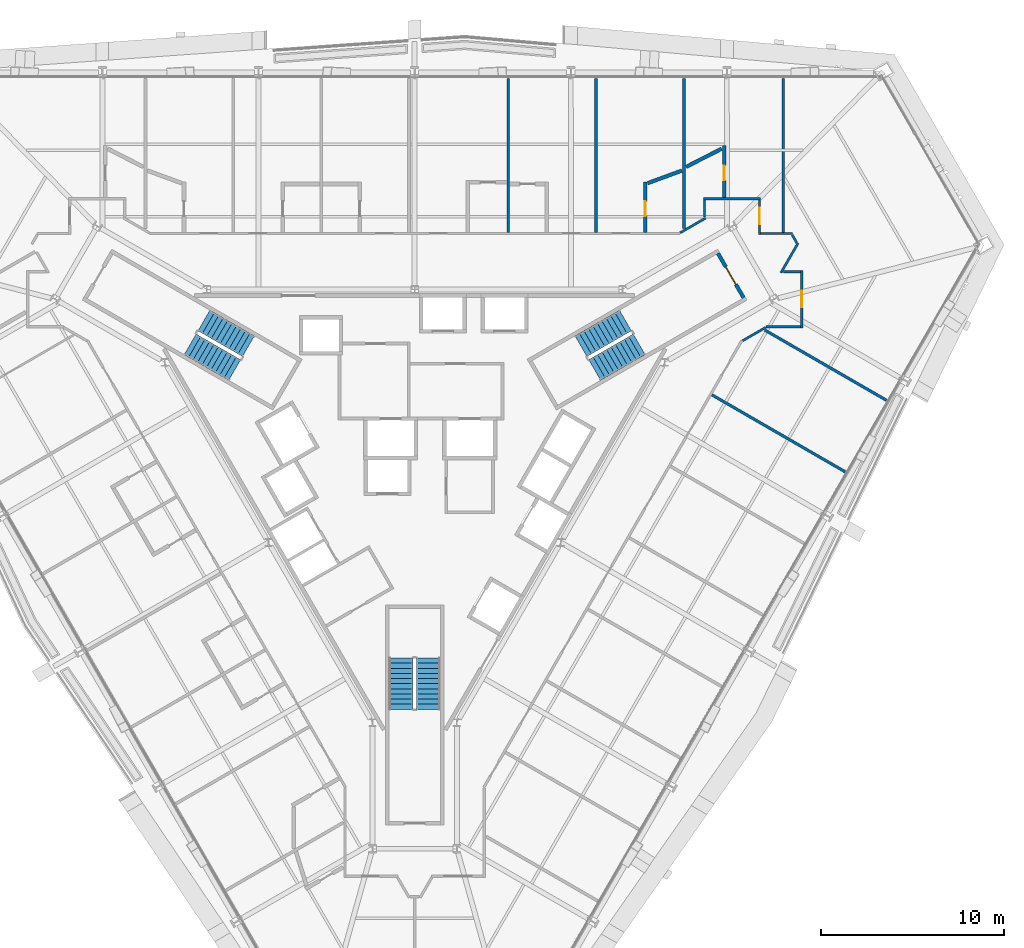
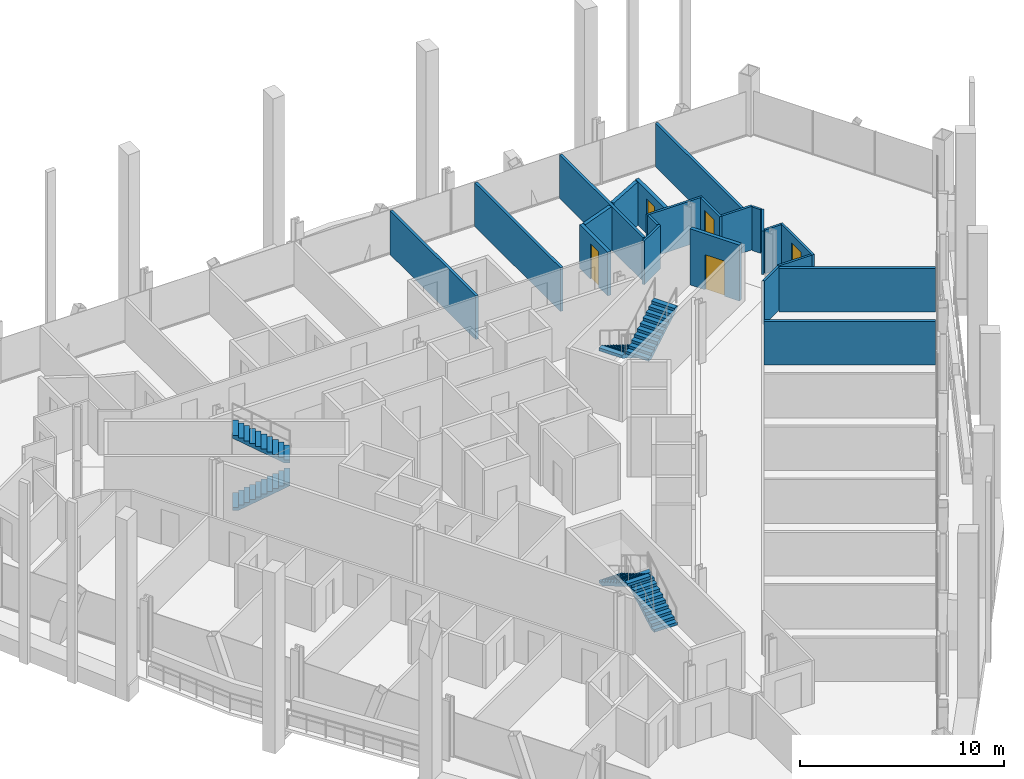
# One storey, part 15 of 18: 22 walls, 6 stair flights, 5 doors, 5 openings, 3 elements without a shape of their own.
"""IFC4 building model written with IfcOpenShell, lengths in metres."""

from ifc_helpers import new_model, si_unit, direction, frame, frame_2d, origin, place, context, subcontext, project, spatial, polyline, rectangle, outline, extrude, material, layer, layer_set, type_object, element, fill, aggregate, save


model = new_model("IFC4")

# Units and contexts
model_context = context("Model", 3, precision=1e-05, world=origin(), true_north=direction((0.0, 1.0)))
body_context = subcontext(model_context, "Body", "Model", "MODEL_VIEW")
ifc_project = project(units=[si_unit("LENGTHUNIT", "METRE"), si_unit("AREAUNIT", "SQUARE_METRE"), si_unit("VOLUMEUNIT", "CUBIC_METRE"), si_unit("PLANEANGLEUNIT", "RADIAN"), si_unit("MASSUNIT", "GRAM", prefix="KILO")], contexts=[model_context])

# Site, building, storey
site_placement = place(None, origin())
site = spatial("IfcSite", under=ifc_project, at=site_placement, CompositionType="ELEMENT")
building_placement = place(site_placement, origin())
building = spatial("IfcBuilding", under=site, at=building_placement, Name="Verrane Prism Tower", CompositionType="ELEMENT")
storey_placement = place(building_placement, frame((0.0, 0.0, 47.60009765625)))
storey = spatial("IfcBuildingStorey", under=building, at=storey_placement, Name="L09", CompositionType="ELEMENT", Elevation=47.60009765625)

# Wall, opening, door
ifc_material_1 = material(Name="Concrete C40/50", Category="concrete")
ifc_layer_1 = layer(ifc_material_1, 0.199951171875)
ifc_layer_set_1 = layer_set([ifc_layer_1], Name="CW-200 stair core wall concrete C40/50 3 h")
wall_type_1 = type_object("IfcWallType", Name="CW-200 stair core wall concrete C40/50 3 h", PredefinedType="PARTITIONING", material=ifc_layer_set_1)
wall_1_placement = place(storey_placement, frame((17.933837890625, 8.737548828125, 0.0), z_axis=(0.0, 0.0, 1.0), x_axis=(-0.49998411664, 0.866034573852, 0.0)))
wall_1 = element("IfcWall", 1, at=wall_1_placement, inside=storey, type_object=wall_type_1, Name="Stair 1 enclosure wall", PredefinedType="PARTITIONING", context=body_context, shape_type="SweptSolid", body=[
    extrude(rectangle(XDim=2.7998046875, YDim=0.199951171875, at=frame_2d((1.39990234375, 0.0))), origin(), (0.0, 0.0, 1.0), 3.349853515625),
])
opening_1_placement = place(wall_1_placement, frame((0.849853515625, 0.0, 0.0)))
opening_1 = element("IfcOpeningElement", 2, at=opening_1_placement, cuts=wall_1, Name="Opening D09500", PredefinedType="OPENING", context=body_context, shape_type="SweptSolid", body=[
    extrude(rectangle(XDim=1.10009765625, YDim=2.10009765625, at=frame_2d((0.550048828125, 1.050048828125))), frame((0.0, 0.10986328125, 0.0), z_axis=(0.0, -1.0, 0.0), x_axis=(1.0, 0.0, 0.0)), (0.0, 0.0, 1.0), 0.219970703125),
])
ifc_material_2 = material(Name="Timber veneered door leaf", Category="wood")
door_type_1 = type_object("IfcDoorType", Name="DR-1100x2100 FD90 single leaf stair", OperationType="NOTDEFINED", PredefinedType="DOOR", material=ifc_material_2)
door_1_placement = place(opening_1_placement, origin())
door_1 = element("IfcDoor", 3, at=door_1_placement, inside=storey, type_object=door_type_1, Name="Stair 1 door", OperationType="SINGLE_SWING_LEFT", OverallHeight=2.10009765625, OverallWidth=1.10009765625, PredefinedType="DOOR", context=body_context, shape_type="SweptSolid", body=[
    extrude(rectangle(XDim=1.10009765625, YDim=2.10009765625, at=frame_2d((0.550048828125, 1.050048828125))), frame((0.0, 0.02490234375, 0.0), z_axis=(0.0, -1.0, 0.0), x_axis=(1.0, 0.0, 0.0)), (0.0, 0.0, 1.0), 0.050048828125),
])
fill(opening_1, door_1)

# Walls
ifc_material_3 = material(Name="Gypsum board partition", Category="other")
ifc_layer_2 = layer(ifc_material_3, 0.125)
ifc_layer_set_2 = layer_set([ifc_layer_2], Name="PW-125 corridor wall 1 h")
wall_type_2 = type_object("IfcWallType", Name="PW-125 corridor wall 1 h", PredefinedType="PARTITIONING", material=ifc_layer_set_2)
wall_2_placement = place(storey_placement, frame((14.4755859375, 12.283447265625, 0.0), z_axis=(0.0, 0.0, 1.0), x_axis=(0.865974057503, 0.500088923824, 0.0)))
element("IfcWall", 4, at=wall_2_placement, inside=storey, type_object=wall_type_2, Name="Corridor wall 071", PredefinedType="PARTITIONING", context=body_context, shape_type="SweptSolid", body=[
    extrude(rectangle(XDim=1.595458984375, YDim=0.125, at=frame_2d((0.7978515625, 0.0))), origin(), (0.0, 0.0, 1.0), 2.61279296875),
])
wall_3_placement = place(storey_placement, frame((15.802978515625, 13.135009765625, 0.0), z_axis=(0.0, 0.0, 1.0), x_axis=(0.0, 1.0, 0.0)))
element("IfcWall", 5, at=wall_3_placement, inside=storey, type_object=wall_type_2, Name="Corridor wall 074", PredefinedType="PARTITIONING", context=body_context, shape_type="SweptSolid", body=[
    extrude(rectangle(XDim=0.93701171875, YDim=0.125, at=frame_2d((0.468505859375, 0.0))), origin(), (0.0, 0.0, 1.0), 2.61279296875),
])
wall_4_placement = place(storey_placement, frame((15.740478515625, 14.136962890625, 0.0), z_axis=(0.0, 0.0, 1.0), x_axis=(1.0, 0.0, 0.0)))
element("IfcWall", 6, at=wall_4_placement, inside=storey, type_object=wall_type_2, Name="Corridor wall 075", PredefinedType="PARTITIONING", context=body_context, shape_type="SweptSolid", body=[
    extrude(rectangle(XDim=3.119140625, YDim=0.125, at=frame_2d((1.5595703125, 0.0))), origin(), (0.0, 0.0, 1.0), 2.61279296875),
])
wall_5_placement = place(storey_placement, frame((17.87548828125, 6.39453125, 0.0), z_axis=(0.0, 0.0, 1.0), x_axis=(0.865894215669, 0.500227155672, 0.0)))
element("IfcWall", 7, at=wall_5_placement, inside=storey, type_object=wall_type_2, Name="Corridor wall 078", PredefinedType="PARTITIONING", context=body_context, shape_type="SweptSolid", body=[
    extrude(rectangle(XDim=1.451416015625, YDim=0.125, at=frame_2d((0.7255859375, 0.0))), origin(), (0.0, 0.0, 1.0), 2.61279296875),
])

# Wall, opening, door
wall_6_placement = place(storey_placement, frame((18.797119140625, 14.072021484375, 0.0), z_axis=(0.0, 0.0, 1.0), x_axis=(0.0, -1.0, 0.0)))
wall_6 = element("IfcWall", 8, at=wall_6_placement, inside=storey, type_object=wall_type_2, Name="Corridor wall 079", PredefinedType="PARTITIONING", context=body_context, shape_type="SweptSolid", body=[
    extrude(rectangle(XDim=1.8935546875, YDim=0.125, at=frame_2d((0.94677734375, 0.0))), origin(), (0.0, 0.0, 1.0), 2.61279296875),
])
opening_2_placement = place(wall_6_placement, frame((0.430908203125, 0.0, 0.0)))
opening_2 = element("IfcOpeningElement", 9, at=opening_2_placement, cuts=wall_6, Name="Opening D09010", PredefinedType="OPENING", context=body_context, shape_type="SweptSolid", body=[
    extrude(rectangle(XDim=0.89990234375, YDim=2.10009765625, at=frame_2d((0.449951171875, 1.050048828125))), frame((0.0, 0.072509765625, 0.0), z_axis=(0.0, -1.0, 0.0), x_axis=(1.0, 0.0, 0.0)), (0.0, 0.0, 1.0), 0.14501953125),
])
ifc_material_4 = material(Name="Timber veneered door leaf", Category="wood")
door_type_2 = type_object("IfcDoorType", Name="DR-900x2100 FD20 single leaf unit", OperationType="NOTDEFINED", PredefinedType="DOOR", material=ifc_material_4)
door_2_placement = place(opening_2_placement, origin())
door_2 = element("IfcDoor", 10, at=door_2_placement, inside=storey, type_object=door_type_2, Name="Guest Room door", OperationType="SINGLE_SWING_LEFT", OverallHeight=2.10009765625, OverallWidth=0.89990234375, PredefinedType="DOOR", context=body_context, shape_type="SweptSolid", body=[
    extrude(rectangle(XDim=0.89990234375, YDim=2.10009765625, at=frame_2d((0.449951171875, 1.050048828125))), frame((0.0, 0.02490234375, 0.0), z_axis=(0.0, -1.0, 0.0), x_axis=(1.0, 0.0, 0.0)), (0.0, 0.0, 1.0), 0.050048828125),
])
fill(opening_2, door_2)

# Walls
wall_7_placement = place(storey_placement, frame((18.862060546875, 12.240966796875, 0.0), z_axis=(0.0, 0.0, 1.0), x_axis=(1.0, 0.0, 0.0)))
element("IfcWall", 11, at=wall_7_placement, inside=storey, type_object=wall_type_2, Name="Corridor wall 080", PredefinedType="PARTITIONING", context=body_context, shape_type="SweptSolid", body=[
    extrude(rectangle(XDim=1.739501953125, YDim=0.125, at=frame_2d((0.86962890625, 0.0))), origin(), (0.0, 0.0, 1.0), 2.61279296875),
])
wall_8_placement = place(storey_placement, frame((19.1435546875, 7.1630859375, 0.0), z_axis=(0.0, 0.0, 1.0), x_axis=(1.0, 0.0, 0.0)))
element("IfcWall", 12, at=wall_8_placement, inside=storey, type_object=wall_type_2, Name="Corridor wall 082", PredefinedType="PARTITIONING", context=body_context, shape_type="SweptSolid", body=[
    extrude(rectangle(XDim=1.888427734375, YDim=0.125, at=frame_2d((0.9443359375, 0.0))), origin(), (0.0, 0.0, 1.0), 2.61279296875),
])
wall_9_placement = place(storey_placement, frame((19.9677734375, 10.102783203125, 0.0), z_axis=(0.0, 0.0, 1.0), x_axis=(0.500072997275, 0.865983254686, 0.0)))
element("IfcWall", 13, at=wall_9_placement, inside=storey, type_object=wall_type_2, Name="Corridor wall 083", PredefinedType="PARTITIONING", context=body_context, shape_type="SweptSolid", body=[
    extrude(rectangle(XDim=1.868896484375, YDim=0.125, at=frame_2d((0.9345703125, 0.0))), origin(), (0.0, 0.0, 1.0), 2.61279296875),
])
wall_10_placement = place(storey_placement, frame((20.10400390625, 10.156982421875, 0.0), z_axis=(0.0, 0.0, 1.0), x_axis=(1.0, 0.0, 0.0)))
element("IfcWall", 14, at=wall_10_placement, inside=storey, type_object=wall_type_2, Name="Corridor wall 084", PredefinedType="PARTITIONING", context=body_context, shape_type="SweptSolid", body=[
    extrude(rectangle(XDim=0.927978515625, YDim=0.125, at=frame_2d((0.4638671875, 0.0))), origin(), (0.0, 0.0, 1.0), 2.61279296875),
])
wall_11_placement = place(storey_placement, frame((20.58154296875, 12.16748046875, 0.0), z_axis=(0.0, 0.0, 1.0), x_axis=(0.500450775723, -0.86576499183, 0.0)))
element("IfcWall", 15, at=wall_11_placement, inside=storey, type_object=wall_type_2, Name="Corridor wall 086", PredefinedType="PARTITIONING", context=body_context, shape_type="SweptSolid", body=[
    extrude(rectangle(XDim=0.4931640625, YDim=0.125, at=frame_2d((0.24658203125, 0.0))), origin(), (0.0, 0.0, 1.0), 2.61279296875),
])

# Wall, opening, door
wall_12_placement = place(storey_placement, frame((21.096923828125, 10.219482421875, 0.0), z_axis=(0.0, 0.0, 1.0), x_axis=(0.0, -1.0, 0.0)))
wall_12 = element("IfcWall", 16, at=wall_12_placement, inside=storey, type_object=wall_type_2, Name="Corridor wall 087", PredefinedType="PARTITIONING", context=body_context, shape_type="SweptSolid", body=[
    extrude(rectangle(XDim=3.118896484375, YDim=0.125, at=frame_2d((1.5595703125, 0.0))), origin(), (0.0, 0.0, 1.0), 2.61279296875),
])
opening_3_placement = place(wall_12_placement, frame((1.1064453125, 0.0, 0.0)))
opening_3 = element("IfcOpeningElement", 17, at=opening_3_placement, cuts=wall_12, Name="Opening D09009", PredefinedType="OPENING", context=body_context, shape_type="SweptSolid", body=[
    extrude(rectangle(XDim=0.89990234375, YDim=2.10009765625, at=frame_2d((0.449951171875, 1.050048828125))), frame((0.0, 0.072509765625, 0.0), z_axis=(0.0, -1.0, 0.0), x_axis=(1.0, 0.0, 0.0)), (0.0, 0.0, 1.0), 0.14501953125),
])
ifc_material_5 = material(Name="Timber veneered door leaf", Category="wood")
door_type_3 = type_object("IfcDoorType", Name="DR-900x2100 single leaf unit", OperationType="NOTDEFINED", PredefinedType="DOOR", material=ifc_material_5)
door_3_placement = place(opening_3_placement, origin())
door_3 = element("IfcDoor", 18, at=door_3_placement, inside=storey, type_object=door_type_3, Name="Study door", OperationType="SINGLE_SWING_RIGHT", OverallHeight=2.10009765625, OverallWidth=0.89990234375, PredefinedType="DOOR", context=body_context, shape_type="SweptSolid", body=[
    extrude(rectangle(XDim=0.89990234375, YDim=2.10009765625, at=frame_2d((0.449951171875, 1.050048828125))), frame((0.0, 0.02490234375, 0.0), z_axis=(0.0, -1.0, 0.0), x_axis=(1.0, 0.0, 0.0)), (0.0, 0.0, 1.0), 0.050048828125),
])
fill(opening_3, door_3)

# Walls
ifc_material_6 = material(Name="Gypsum board partition", Category="other")
ifc_layer_3 = layer(ifc_material_6, 0.14990234375)
ifc_layer_set_3 = layer_set([ifc_layer_3], Name="PW-150 demising wall 1 h")
wall_type_3 = type_object("IfcWallType", Name="PW-150 demising wall 1 h", PredefinedType="PARTITIONING", material=ifc_layer_set_3)
for number, where, z_axis, x_axis, name in (
    (19, (5.10009765625, 12.303466796875, 0.0), (0.0, 0.0, 1.0), (0.0, 1.0, 0.0), "Demising wall 061"),
    (20, (9.887939453125, 12.303466796875, 0.0), (0.0, 0.0, 1.0), (0.0, 1.0, 0.0), "Demising wall 066"),
):
    element("IfcWall", number, at=place(storey_placement, frame(where, z_axis=z_axis, x_axis=x_axis)), inside=storey, type_object=wall_type_3, Name=name, PredefinedType="PARTITIONING", context=body_context, shape_type="SweptSolid", body=[
        extrude(rectangle(XDim=8.3916015625, YDim=0.14990234375, at=frame_2d((4.19580078125, 0.0))), origin(), (0.0, 0.0, 1.0), 2.61279296875),
    ])
wall_13_placement = place(storey_placement, frame((14.676025390625, 12.514404296875, 0.0), z_axis=(0.0, 0.0, 1.0), x_axis=(0.0, 1.0, 0.0)))
element("IfcWall", 21, at=wall_13_placement, inside=storey, type_object=wall_type_3, Name="Demising wall 072", PredefinedType="PARTITIONING", context=body_context, shape_type="SweptSolid", body=[
    extrude(rectangle(XDim=8.1806640625, YDim=0.14990234375, at=frame_2d((4.09033203125, 0.0))), origin(), (0.0, 0.0, 1.0), 2.61279296875),
])
wall_14_placement = place(storey_placement, frame((16.202392578125, 3.447265625, 0.0), z_axis=(0.0, 0.0, 1.0), x_axis=(0.866047434595, -0.499961839574, 0.0)))
element("IfcWall", 22, at=wall_14_placement, inside=storey, type_object=wall_type_3, Name="Demising wall 076", PredefinedType="PARTITIONING", context=body_context, shape_type="SweptSolid", body=[
    extrude(rectangle(XDim=8.386962890625, YDim=0.14990234375, at=frame_2d((4.193359375, 0.0))), origin(), (0.0, 0.0, 1.0), 2.61279296875),
])
wall_15_placement = place(storey_placement, frame((19.087890625, 6.979248046875, 0.0), z_axis=(0.0, 0.0, 1.0), x_axis=(0.865990629129, -0.500060226633, 0.0)))
element("IfcWall", 23, at=wall_15_placement, inside=storey, type_object=wall_type_3, Name="Demising wall 081", PredefinedType="PARTITIONING", context=body_context, shape_type="SweptSolid", body=[
    extrude(rectangle(XDim=7.65380859375, YDim=0.14990234375, at=frame_2d((3.826904296875, 0.0))), origin(), (0.0, 0.0, 1.0), 2.61279296875),
])
wall_16_placement = place(storey_placement, frame((20.089111328125, 12.303466796875, 0.0), z_axis=(0.0, 0.0, 1.0), x_axis=(0.0, 1.0, 0.0)))
element("IfcWall", 24, at=wall_16_placement, inside=storey, type_object=wall_type_3, Name="Demising wall 085", PredefinedType="PARTITIONING", context=body_context, shape_type="SweptSolid", body=[
    extrude(rectangle(XDim=8.3916015625, YDim=0.14990234375, at=frame_2d((4.19580078125, 0.0))), origin(), (0.0, 0.0, 1.0), 2.61279296875),
])

# Wall, opening, door
ifc_material_7 = material(Name="Gypsum board partition", Category="other")
ifc_layer_4 = layer(ifc_material_7, 0.199951171875)
ifc_layer_set_4 = layer_set([ifc_layer_4], Name="PW-200 plumbing wall")
wall_type_4 = type_object("IfcWallType", Name="PW-200 plumbing wall", PredefinedType="PARTITIONING", material=ifc_layer_set_4)
wall_17_placement = place(storey_placement, frame((12.575927734375, 15.041015625, 0.0), z_axis=(0.0, 0.0, 1.0), x_axis=(0.0, -1.0, 0.0)))
wall_17 = element("IfcWall", 25, at=wall_17_placement, inside=storey, type_object=wall_type_4, Name="Plumbing wall 068", PredefinedType="PARTITIONING", context=body_context, shape_type="SweptSolid", body=[
    extrude(rectangle(XDim=2.737548828125, YDim=0.199951171875, at=frame_2d((1.36865234375, 0.0))), origin(), (0.0, 0.0, 1.0), 2.61279296875),
])
opening_4_placement = place(wall_17_placement, frame((1.050048828125, 0.0, 0.0)))
opening_4 = element("IfcOpeningElement", 26, at=opening_4_placement, cuts=wall_17, Name="Opening D09013", PredefinedType="OPENING", context=body_context, shape_type="SweptSolid", body=[
    extrude(rectangle(XDim=0.800048828125, YDim=2.10009765625, at=frame_2d((0.39990234375, 1.050048828125))), frame((0.0, 0.10986328125, 0.0), z_axis=(0.0, -1.0, 0.0), x_axis=(1.0, 0.0, 0.0)), (0.0, 0.0, 1.0), 0.219970703125),
])
ifc_material_8 = material(Name="Timber veneered door leaf", Category="wood")
door_type_4 = type_object("IfcDoorType", Name="DR-800x2100 single leaf bath", OperationType="NOTDEFINED", PredefinedType="DOOR", material=ifc_material_8)
door_4_placement = place(opening_4_placement, origin())
door_4 = element("IfcDoor", 27, at=door_4_placement, inside=storey, type_object=door_type_4, Name="En-Suite door", OperationType="SINGLE_SWING_RIGHT", OverallHeight=2.10009765625, OverallWidth=0.800048828125, PredefinedType="DOOR", context=body_context, shape_type="SweptSolid", body=[
    extrude(rectangle(XDim=0.800048828125, YDim=2.10009765625, at=frame_2d((0.39990234375, 1.050048828125))), frame((0.0, 0.02490234375, 0.0), z_axis=(0.0, -1.0, 0.0), x_axis=(1.0, 0.0, 0.0)), (0.0, 0.0, 1.0), 0.050048828125),
])
fill(opening_4, door_4)

# Walls
wall_18_placement = place(storey_placement, frame((12.697998046875, 14.98583984375, 0.0), z_axis=(0.0, 0.0, 1.0), x_axis=(0.938894816734, 0.344204188105, 0.0)))
element("IfcWall", 28, at=wall_18_placement, inside=storey, type_object=wall_type_4, Name="Plumbing wall 069", PredefinedType="PARTITIONING", context=body_context, shape_type="SweptSolid", body=[
    extrude(rectangle(XDim=1.990234375, YDim=0.199951171875, at=frame_2d((0.9951171875, 0.0))), origin(), (0.0, 0.0, 1.0), 2.61279296875),
])
wall_19_placement = place(storey_placement, frame((14.796630859375, 15.872802734375, 0.0), z_axis=(0.0, 0.0, 1.0), x_axis=(0.890181338078, 0.455606392995, 0.0)))
element("IfcWall", 29, at=wall_19_placement, inside=storey, type_object=wall_type_4, Name="Plumbing wall 073", PredefinedType="PARTITIONING", context=body_context, shape_type="SweptSolid", body=[
    extrude(rectangle(XDim=2.170654296875, YDim=0.199951171875, at=frame_2d((1.08544921875, 0.0))), origin(), (0.0, 0.0, 1.0), 2.61279296875),
])

# Wall, opening, door
wall_20_placement = place(storey_placement, frame((16.8759765625, 14.199462890625, 0.0), z_axis=(0.0, 0.0, 1.0), x_axis=(0.0, 1.0, 0.0)))
wall_20 = element("IfcWall", 30, at=wall_20_placement, inside=storey, type_object=wall_type_4, Name="Plumbing wall 077", PredefinedType="PARTITIONING", context=body_context, shape_type="SweptSolid", body=[
    extrude(rectangle(XDim=2.837646484375, YDim=0.199951171875, at=frame_2d((1.4189453125, 0.0))), origin(), (0.0, 0.0, 1.0), 2.61279296875),
])
opening_5_placement = place(wall_20_placement, frame((0.9375, 0.0, 0.0)))
opening_5 = element("IfcOpeningElement", 31, at=opening_5_placement, cuts=wall_20, Name="Opening D09011", PredefinedType="OPENING", context=body_context, shape_type="SweptSolid", body=[
    extrude(rectangle(XDim=0.800048828125, YDim=2.10009765625, at=frame_2d((0.39990234375, 1.050048828125))), frame((0.0, 0.10986328125, 0.0), z_axis=(0.0, -1.0, 0.0), x_axis=(1.0, 0.0, 0.0)), (0.0, 0.0, 1.0), 0.219970703125),
])
door_5_placement = place(opening_5_placement, origin())
door_5 = element("IfcDoor", 32, at=door_5_placement, inside=storey, type_object=door_type_4, Name="En-Suite door", OperationType="SINGLE_SWING_LEFT", OverallHeight=2.10009765625, OverallWidth=0.800048828125, PredefinedType="DOOR", context=body_context, shape_type="SweptSolid", body=[
    extrude(rectangle(XDim=0.800048828125, YDim=2.10009765625, at=frame_2d((0.39990234375, 1.050048828125))), frame((0.0, 0.02490234375, 0.0), z_axis=(0.0, -1.0, 0.0), x_axis=(1.0, 0.0, 0.0)), (0.0, 0.0, 1.0), 0.050048828125),
])
fill(opening_5, door_5)

# Stair, stair flights
ifc_material_9 = material(Name="Concrete C40/50", Category="concrete")
stair_type = type_object("IfcStairType", Name="Exit stair 1300 dog-leg precast concrete C40/50", PredefinedType="HALF_TURN_STAIR", material=ifc_material_9)
stair_1_placement = place(storey_placement, origin())
stair_1 = element("IfcStair", 33, at=stair_1_placement, inside=storey, type_object=stair_type, Name="Stair 1 L09", PredefinedType="HALF_TURN_STAIR")
ifc_material_10 = material(Name="Concrete C40/50", Category="concrete")
stair_flight_type = type_object("IfcStairFlightType", Name="Stair flight 1300 precast concrete C40/50", PredefinedType="STRAIGHT", material=ifc_material_10)
stair_flight_1_placement = place(storey_placement, frame((11.489501953125, 7.49951171875, 0.0), z_axis=(0.0, 0.0, 1.0), x_axis=(-0.866025403784, -0.5, 0.0)))
stair_flight_1 = element("IfcStairFlight", 34, at=stair_flight_1_placement, type_object=stair_flight_type, Name="Stair 1 flight 1", NumberOfRisers=11, NumberOfTreads=10, PredefinedType="STRAIGHT", RiserHeight=0.163636364, TreadLength=0.28, context=body_context, shape_type="SweptSolid", body=[
    extrude(outline(polyline([(0.0, 0.0), (0.0, 0.16357421875), (0.280029296875, 0.16357421875), (0.280029296875, 0.327392578125), (0.56005859375, 0.327392578125), (0.56005859375, 0.490966796875), (0.840087890625, 0.490966796875), (0.840087890625, 0.654541015625), (1.1201171875, 0.654541015625), (1.1201171875, 0.818115234375), (1.39990234375, 0.818115234375), (1.39990234375, 0.98193359375), (1.679931640625, 0.98193359375), (1.679931640625, 1.1455078125), (1.9599609375, 1.1455078125), (1.9599609375, 1.30908203125), (2.239990234375, 1.30908203125), (2.239990234375, 1.47265625), (2.52001953125, 1.47265625), (2.52001953125, 1.636474609375), (2.800048828125, 1.636474609375), (2.800048828125, 1.800048828125), (2.800048828125, 1.462646484375), (0.297119140625, 0.0), (0.0, 0.0)])), frame((0.0, 0.64990234375, 0.0), z_axis=(0.0, -1.0, 0.0), x_axis=(1.0, 0.0, 0.0)), (0.0, 0.0, 1.0), 1.300048828125),
])
stair_flight_2_placement = place(storey_placement, frame((9.814697265625, 4.800537109375, 1.7998046875), z_axis=(0.0, 0.0, 1.0), x_axis=(0.866025403784, 0.5, 0.0)))
stair_flight_2 = element("IfcStairFlight", 35, at=stair_flight_2_placement, type_object=stair_flight_type, Name="Stair 1 flight 2", NumberOfRisers=11, NumberOfTreads=10, PredefinedType="STRAIGHT", RiserHeight=0.163636364, TreadLength=0.28, context=body_context, shape_type="SweptSolid", body=[
    extrude(outline(polyline([(0.0, 0.0), (0.0, 0.16357421875), (0.280029296875, 0.16357421875), (0.280029296875, 0.327392578125), (0.56005859375, 0.327392578125), (0.56005859375, 0.490966796875), (0.840087890625, 0.490966796875), (0.840087890625, 0.654541015625), (1.1201171875, 0.654541015625), (1.1201171875, 0.818115234375), (1.39990234375, 0.818115234375), (1.39990234375, 0.98193359375), (1.679931640625, 0.98193359375), (1.679931640625, 1.1455078125), (1.9599609375, 1.1455078125), (1.9599609375, 1.30908203125), (2.239990234375, 1.30908203125), (2.239990234375, 1.47265625), (2.52001953125, 1.47265625), (2.52001953125, 1.636474609375), (2.800048828125, 1.636474609375), (2.800048828125, 1.800048828125), (2.800048828125, 1.462646484375), (0.297119140625, 0.0), (0.0, 0.0)])), frame((0.0, 0.64990234375, 0.0), z_axis=(0.0, -1.0, 0.0), x_axis=(1.0, 0.0, 0.0)), (0.0, 0.0, 1.0), 1.300048828125),
])
aggregate(stair_1, [stair_flight_1, stair_flight_2])

stair_2_placement = place(storey_placement, origin())
stair_2 = element("IfcStair", 36, at=stair_2_placement, inside=storey, type_object=stair_type, Name="Stair 2 L09", PredefinedType="HALF_TURN_STAIR")
stair_flight_3_placement = place(storey_placement, frame((-12.239501953125, 6.200439453125, 0.0), z_axis=(0.0, 0.0, 1.0), x_axis=(0.866025403784, -0.5, 0.0)))
stair_flight_3 = element("IfcStairFlight", 37, at=stair_flight_3_placement, type_object=stair_flight_type, Name="Stair 2 flight 1", NumberOfRisers=11, NumberOfTreads=10, PredefinedType="STRAIGHT", RiserHeight=0.163636364, TreadLength=0.28, context=body_context, shape_type="SweptSolid", body=[
    extrude(outline(polyline([(0.0, 0.0), (0.0, 0.16357421875), (0.280029296875, 0.16357421875), (0.280029296875, 0.327392578125), (0.56005859375, 0.327392578125), (0.56005859375, 0.490966796875), (0.840087890625, 0.490966796875), (0.840087890625, 0.654541015625), (1.1201171875, 0.654541015625), (1.1201171875, 0.818115234375), (1.39990234375, 0.818115234375), (1.39990234375, 0.98193359375), (1.679931640625, 0.98193359375), (1.679931640625, 1.1455078125), (1.9599609375, 1.1455078125), (1.9599609375, 1.30908203125), (2.239990234375, 1.30908203125), (2.239990234375, 1.47265625), (2.52001953125, 1.47265625), (2.52001953125, 1.636474609375), (2.800048828125, 1.636474609375), (2.800048828125, 1.800048828125), (2.800048828125, 1.462646484375), (0.297119140625, 0.0), (0.0, 0.0)])), frame((0.0, 0.64990234375, 0.0), z_axis=(0.0, -1.0, 0.0), x_axis=(1.0, 0.0, 0.0)), (0.0, 0.0, 1.0), 1.300048828125),
])
stair_flight_4_placement = place(storey_placement, frame((-9.064697265625, 6.099609375, 1.7998046875), z_axis=(0.0, 0.0, 1.0), x_axis=(-0.866025403784, 0.5, 0.0)))
stair_flight_4 = element("IfcStairFlight", 38, at=stair_flight_4_placement, type_object=stair_flight_type, Name="Stair 2 flight 2", NumberOfRisers=11, NumberOfTreads=10, PredefinedType="STRAIGHT", RiserHeight=0.163636364, TreadLength=0.28, context=body_context, shape_type="SweptSolid", body=[
    extrude(outline(polyline([(0.0, 0.0), (0.0, 0.16357421875), (0.280029296875, 0.16357421875), (0.280029296875, 0.327392578125), (0.56005859375, 0.327392578125), (0.56005859375, 0.490966796875), (0.840087890625, 0.490966796875), (0.840087890625, 0.654541015625), (1.1201171875, 0.654541015625), (1.1201171875, 0.818115234375), (1.39990234375, 0.818115234375), (1.39990234375, 0.98193359375), (1.679931640625, 0.98193359375), (1.679931640625, 1.1455078125), (1.9599609375, 1.1455078125), (1.9599609375, 1.30908203125), (2.239990234375, 1.30908203125), (2.239990234375, 1.47265625), (2.52001953125, 1.47265625), (2.52001953125, 1.636474609375), (2.800048828125, 1.636474609375), (2.800048828125, 1.800048828125), (2.800048828125, 1.462646484375), (0.297119140625, 0.0), (0.0, 0.0)])), frame((0.0, 0.64990234375, 0.0), z_axis=(0.0, -1.0, 0.0), x_axis=(1.0, 0.0, 0.0)), (0.0, 0.0, 1.0), 1.300048828125),
])
aggregate(stair_2, [stair_flight_3, stair_flight_4])

stair_3_placement = place(storey_placement, origin())
stair_3 = element("IfcStair", 39, at=stair_3_placement, inside=storey, type_object=stair_type, Name="Stair 3 L09", PredefinedType="HALF_TURN_STAIR")
stair_flight_5_placement = place(storey_placement, frame((0.75, -13.699951171875, 0.0), z_axis=(0.0, 0.0, 1.0), x_axis=(0.0, 1.0, 0.0)))
stair_flight_5 = element("IfcStairFlight", 40, at=stair_flight_5_placement, type_object=stair_flight_type, Name="Stair 3 flight 1", NumberOfRisers=11, NumberOfTreads=10, PredefinedType="STRAIGHT", RiserHeight=0.163636364, TreadLength=0.28, context=body_context, shape_type="SweptSolid", body=[
    extrude(outline(polyline([(0.0, 0.0), (0.0, 0.16357421875), (0.280029296875, 0.16357421875), (0.280029296875, 0.327392578125), (0.56005859375, 0.327392578125), (0.56005859375, 0.490966796875), (0.840087890625, 0.490966796875), (0.840087890625, 0.654541015625), (1.1201171875, 0.654541015625), (1.1201171875, 0.818115234375), (1.39990234375, 0.818115234375), (1.39990234375, 0.98193359375), (1.679931640625, 0.98193359375), (1.679931640625, 1.1455078125), (1.9599609375, 1.1455078125), (1.9599609375, 1.30908203125), (2.239990234375, 1.30908203125), (2.239990234375, 1.47265625), (2.52001953125, 1.47265625), (2.52001953125, 1.636474609375), (2.800048828125, 1.636474609375), (2.800048828125, 1.800048828125), (2.800048828125, 1.462646484375), (0.297119140625, 0.0), (0.0, 0.0)])), frame((0.0, 0.64990234375, 0.0), z_axis=(0.0, -1.0, 0.0), x_axis=(1.0, 0.0, 0.0)), (0.0, 0.0, 1.0), 1.300048828125),
])
stair_flight_6_placement = place(storey_placement, frame((-0.75, -10.89990234375, 1.7998046875), z_axis=(0.0, 0.0, 1.0), x_axis=(0.0, -1.0, 0.0)))
stair_flight_6 = element("IfcStairFlight", 41, at=stair_flight_6_placement, type_object=stair_flight_type, Name="Stair 3 flight 2", NumberOfRisers=11, NumberOfTreads=10, PredefinedType="STRAIGHT", RiserHeight=0.163636364, TreadLength=0.28, context=body_context, shape_type="SweptSolid", body=[
    extrude(outline(polyline([(0.0, 0.0), (0.0, 0.16357421875), (0.280029296875, 0.16357421875), (0.280029296875, 0.327392578125), (0.56005859375, 0.327392578125), (0.56005859375, 0.490966796875), (0.840087890625, 0.490966796875), (0.840087890625, 0.654541015625), (1.1201171875, 0.654541015625), (1.1201171875, 0.818115234375), (1.39990234375, 0.818115234375), (1.39990234375, 0.98193359375), (1.679931640625, 0.98193359375), (1.679931640625, 1.1455078125), (1.9599609375, 1.1455078125), (1.9599609375, 1.30908203125), (2.239990234375, 1.30908203125), (2.239990234375, 1.47265625), (2.52001953125, 1.47265625), (2.52001953125, 1.636474609375), (2.800048828125, 1.636474609375), (2.800048828125, 1.800048828125), (2.800048828125, 1.462646484375), (0.297119140625, 0.0), (0.0, 0.0)])), frame((0.0, 0.64990234375, 0.0), z_axis=(0.0, -1.0, 0.0), x_axis=(1.0, 0.0, 0.0)), (0.0, 0.0, 1.0), 1.300048828125),
])
aggregate(stair_3, [stair_flight_5, stair_flight_6])

save(model, "model.ifc")
